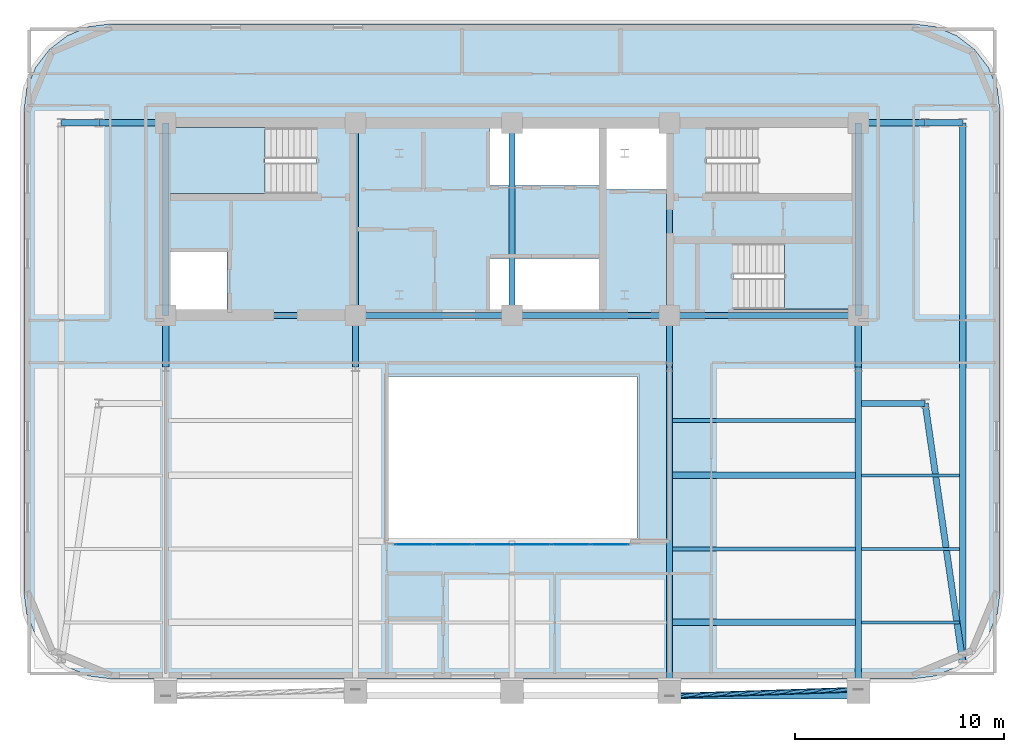
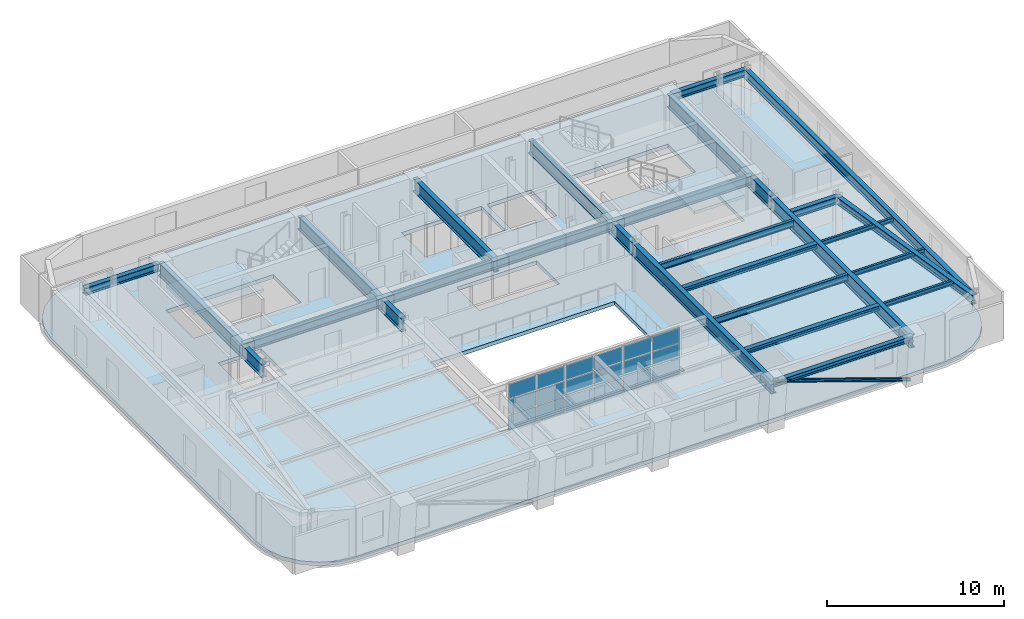
# One storey, part 3 of 13: 30 beams, 18 plates, 3 slabs, 1 member, 3 elements without a shape of their own.
"""IFC4 building model written with IfcOpenShell, lengths in metres."""

import ifcopenshell
import ifcopenshell.guid

model = None  # the IFC model being written
_history = None  # IfcOwnerHistory: only IFC2X3 demands one
_inside = {}  # id of a spatial element -> (the spatial element, [elements in it])
_under = {}  # id of a project, library or spatial element -> (it, [spatial elements below it])
_declared = {}  # id of a project -> (the project, [libraries it declares])
_typed = {}  # id of a type object -> (the type object, [elements of that type])
_made_of = {}  # id of a material, layer set ... -> (it, [elements and type objects made of it])


def new_model(schema):
    """Start an empty IFC model of exactly this schema.

    Asked for "IFC4X3", IfcOpenShell would pick the latest addendum, in which some entities
    have other attributes; the version numbers below select the first issue.
    IFC2X3 requires an IfcOwnerHistory on every rooted entity: one is made here for all.
    """
    global model, _history
    if schema == "IFC4X3":
        model = ifcopenshell.file(schema_version=(4, 3, 0, 0))
    else:
        model = ifcopenshell.file(schema=schema)
    _inside.clear()
    _under.clear()
    _declared.clear()
    _typed.clear()
    _made_of.clear()
    _history = None
    if model.schema == "IFC2X3":
        org = make("IfcOrganization", Name="unknown")
        user = make(
            "IfcPersonAndOrganization",
            ThePerson=make("IfcPerson", FamilyName="unknown"),
            TheOrganization=org,
        )
        app = make(
            "IfcApplication",
            ApplicationDeveloper=org,
            Version="unknown",
            ApplicationFullName="unknown",
            ApplicationIdentifier="unknown",
        )
        _history = make(
            "IfcOwnerHistory",
            OwningUser=user,
            OwningApplication=app,
            ChangeAction="ADDED",
            CreationDate=0,
        )
    return model


def make(cls, **values):
    """One entity of the class cls with the attributes given. An attribute that is None is left unset."""
    return model.create_entity(
        cls, **{name: value for name, value in values.items() if value is not None}
    )


def rooted(cls, **values):
    """An entity with a GlobalId (a new one), such as an element, a storey or a relation."""
    return make(cls, GlobalId=ifcopenshell.guid.new(), OwnerHistory=_history, **values)


def si_unit(unit_type, name, prefix=None):
    """IfcSIUnit, for example si_unit("LENGTHUNIT", "METRE", prefix="MILLI")."""
    return make("IfcSIUnit", UnitType=unit_type, Prefix=prefix, Name=name)


def assignment(units):
    """IfcUnitAssignment: the units of a project."""
    return None if units is None else make("IfcUnitAssignment", Units=units)


def point(xyz):
    """IfcCartesianPoint."""
    return None if xyz is None else make("IfcCartesianPoint", Coordinates=xyz)


def direction(xyz):
    """IfcDirection."""
    return None if xyz is None else make("IfcDirection", DirectionRatios=xyz)


def frame(location, z_axis=None, x_axis=None):
    """IfcAxis2Placement3D, a coordinate frame: its origin and axes. An axis left out is left unset."""
    return make(
        "IfcAxis2Placement3D",
        Location=point(location),
        Axis=direction(z_axis),
        RefDirection=direction(x_axis),
    )


def frame_2d(location, x_axis=None):
    """IfcAxis2Placement2D, a coordinate frame in the plane: its origin and x axis."""
    return make(
        "IfcAxis2Placement2D", Location=point(location), RefDirection=direction(x_axis)
    )


def origin():
    """The frame at (0, 0, 0) with its axes left unset."""
    return frame((0.0, 0.0, 0.0))


def origin_2d():
    """The frame at (0, 0) in the plane with its x axis left unset."""
    return frame_2d((0.0, 0.0))


def place(relative_to, where):
    """IfcLocalPlacement: puts the frame where relative to a parent placement (None: the world)."""
    return make(
        "IfcLocalPlacement", PlacementRelTo=relative_to, RelativePlacement=where
    )


def context(
    kind, dimensions, precision=None, world=None, true_north=None, identifier=None
):
    """IfcGeometricRepresentationContext, for example the 3D "Model" context."""
    return make(
        "IfcGeometricRepresentationContext",
        ContextIdentifier=identifier,
        ContextType=kind,
        CoordinateSpaceDimension=dimensions,
        Precision=precision,
        WorldCoordinateSystem=world,
        TrueNorth=true_north,
    )


def subcontext(parent, identifier, kind, view, scale=None):
    """IfcGeometricRepresentationSubContext, for example "Body" below "Model"."""
    return make(
        "IfcGeometricRepresentationSubContext",
        ContextIdentifier=identifier,
        ContextType=kind,
        ParentContext=parent,
        TargetScale=scale,
        TargetView=view,
    )


def project(units=None, contexts=None):
    """IfcProject with its units and contexts."""
    return rooted(
        "IfcProject",
        Name="project",
        RepresentationContexts=contexts,
        UnitsInContext=assignment(units),
    )


def spatial(cls, under=None, at=None, **own):
    """A site, building, storey or space (cls), placed at a placement, below another one or the project."""
    s = rooted(cls, ObjectPlacement=at, **own)
    if under is not None:
        _under.setdefault(under.id(), (under, []))[1].append(s)
    return s


def polyline(points):
    """IfcPolyline through the points."""
    return make("IfcPolyline", Points=[point(p) for p in points])


def profile(cls, at=None, kind="AREA", **sizes):
    """A parametric profile (cls). Its sizes go by their IFC names, for example OverallWidth=200.0."""
    return make(cls, ProfileType=kind, Position=at, **sizes)


def rectangle(**sizes):
    """IfcRectangleProfileDef."""
    return profile("IfcRectangleProfileDef", **sizes)


def hollow_circle(**sizes):
    """IfcCircleHollowProfileDef."""
    return profile("IfcCircleHollowProfileDef", **sizes)


def i_section(**sizes):
    """IfcIShapeProfileDef."""
    return profile("IfcIShapeProfileDef", **sizes)


def outline(outer, holes=None, kind="AREA"):
    """IfcArbitraryClosedProfileDef: a profile drawn as a closed curve; with holes, ...WithVoids."""
    if holes is None:
        return make("IfcArbitraryClosedProfileDef", ProfileType=kind, OuterCurve=outer)
    return make(
        "IfcArbitraryProfileDefWithVoids",
        ProfileType=kind,
        OuterCurve=outer,
        InnerCurves=holes,
    )


def extrude(swept, where, along, depth):
    """IfcExtrudedAreaSolid: the profile swept, set in the frame where, extruded along a direction by depth."""
    return make(
        "IfcExtrudedAreaSolid",
        SweptArea=swept,
        Position=where,
        ExtrudedDirection=direction(along),
        Depth=depth,
    )


def shape(context_of_items, identifier, shape_type, items):
    """IfcShapeRepresentation: the items that make up one representation, for example the "Body"."""
    return make(
        "IfcShapeRepresentation",
        ContextOfItems=context_of_items,
        RepresentationIdentifier=identifier,
        RepresentationType=shape_type,
        Items=items,
    )


def material(Name=None, Category=None):
    """IfcMaterial."""
    return make("IfcMaterial", Name=Name, Category=Category)


def layer(
    of_material, thickness, ventilated=None, Name=None, Category=None, Priority=None
):
    """IfcMaterialLayer: one layer of a wall or slab, of a material (None: an air gap)."""
    return make(
        "IfcMaterialLayer",
        Material=of_material,
        LayerThickness=thickness,
        IsVentilated=ventilated,
        Name=Name,
        Category=Category,
        Priority=Priority,
    )


def layer_set(layers, Name=None):
    """IfcMaterialLayerSet."""
    return make("IfcMaterialLayerSet", MaterialLayers=layers, LayerSetName=Name)


def material_profile(
    of_material, cross_section, Name=None, Category=None, Priority=None
):
    """IfcMaterialProfile: a cross section and its material."""
    return make(
        "IfcMaterialProfile",
        Name=Name,
        Material=of_material,
        Profile=cross_section,
        Priority=Priority,
        Category=Category,
    )


def profile_set(profiles, Name=None, composite=None):
    """IfcMaterialProfileSet."""
    return make(
        "IfcMaterialProfileSet",
        Name=Name,
        MaterialProfiles=profiles,
        CompositeProfile=composite,
    )


def made_of(thing, what):
    """Note that an element or type object is made of a material, layer set ...; save() writes the relation."""
    if what is not None:
        _made_of.setdefault(what.id(), (what, []))[1].append(thing)
    return thing


def type_object(cls, material=None, **own):
    """A type object (cls), such as IfcWallType, which elements share."""
    return made_of(rooted(cls, **own), material)


def element(
    cls,
    number,
    at=None,
    inside=None,
    cuts=None,
    type_object=None,
    material=None,
    context=None,
    identifier="Body",
    shape_type=None,
    held_by="IfcProductDefinitionShape",
    body=None,
    shapes=None,
    **own,
):
    """One element of the class cls, such as IfcWall. Its Tag is "e" and its number.

    at: its placement. inside: the storey or other place that contains it. cuts: it is an
    opening in that element (IfcRelVoidsElement). A single representation is given by context,
    identifier, shape_type and body (its items); several are given by shapes. held_by: the class
    of the entity that holds the representations. save() writes the other relations.
    """
    e = rooted(cls, Tag="e%d" % number, ObjectPlacement=at, **own)
    if body is not None:
        shapes = [shape(context, identifier, shape_type, body)]
    if shapes is not None:
        e.Representation = make(held_by, Representations=shapes)
    if inside is not None:
        _inside.setdefault(inside.id(), (inside, []))[1].append(e)
    if cuts is not None:
        rooted(
            "IfcRelVoidsElement", RelatingBuildingElement=cuts, RelatedOpeningElement=e
        )
    if type_object is not None:
        _typed.setdefault(type_object.id(), (type_object, []))[1].append(e)
    return made_of(e, material)


def aggregate(whole, parts):
    """IfcRelAggregates: a whole, such as a stair, and the parts it consists of."""
    return rooted("IfcRelAggregates", RelatingObject=whole, RelatedObjects=parts)


def save(model, path):
    """Write the relations noted so far, then the file.

    IfcRelAggregates (storeys below a building ...), IfcRelContainedInSpatialStructure (elements
    in a storey), IfcRelDefinesByType, IfcRelAssociatesMaterial and IfcRelDeclares: one each for
    every whole, place, type object, material and project.
    """
    for whole, parts in _under.values():
        aggregate(whole, parts)
    for where, things in _inside.values():
        rooted(
            "IfcRelContainedInSpatialStructure",
            RelatedElements=things,
            RelatingStructure=where,
        )
    for kind, things in _typed.values():
        rooted("IfcRelDefinesByType", RelatedObjects=things, RelatingType=kind)
    for what, things in _made_of.values():
        rooted("IfcRelAssociatesMaterial", RelatedObjects=things, RelatingMaterial=what)
    for by, libraries in _declared.values():
        rooted("IfcRelDeclares", RelatingContext=by, RelatedDefinitions=libraries)
    model.write(path)


model = new_model("IFC4")

# Units and contexts
model_context = context("Model", 3, precision=1e-05, world=origin(), true_north=direction((0.0, 1.0)))
body_context = subcontext(model_context, "Body", "Model", "MODEL_VIEW")
ifc_project = project(units=[si_unit("LENGTHUNIT", "METRE"), si_unit("AREAUNIT", "SQUARE_METRE"), si_unit("VOLUMEUNIT", "CUBIC_METRE"), si_unit("PLANEANGLEUNIT", "RADIAN"), si_unit("MASSUNIT", "GRAM", prefix="KILO")], contexts=[model_context])

# Site, building, storey
site_placement = place(None, origin())
site = spatial("IfcSite", under=ifc_project, at=site_placement, CompositionType="ELEMENT")
building_placement = place(site_placement, origin())
building = spatial("IfcBuilding", under=site, at=building_placement, Name="Zarnavel Station Tower", CompositionType="ELEMENT")
storey_placement = place(building_placement, frame((0.0, 0.0, 180.300048828125)))
storey = spatial("IfcBuildingStorey", under=building, at=storey_placement, Name="L49", CompositionType="ELEMENT", Elevation=180.300048828125)

# Member
ifc_material_1 = material(Name="Steel S355J2", Category="steel")
ifc_material_profile_1 = material_profile(ifc_material_1, hollow_circle(Radius=0.122314453125, WallThickness=0.010009765625, at=origin_2d()), Name="CHS244.5x10")
ifc_profile_set_1 = profile_set([ifc_material_profile_1], Name="Steel S355J2")
member_type = type_object("IfcMemberType", Name="DB_EXT_CHS245", PredefinedType="BRACE", material=ifc_profile_set_1)
member_placement = place(storey_placement, frame((45.39990234375, 9.88916015625, 0.0), z_axis=(-0.939370056938, -0.030942344867, 0.341506174795), x_axis=(0.032921607344, -0.999457936969, 0.0)))
element("IfcMember", 1, at=member_placement, inside=storey, type_object=member_type, Name="L49 Persian Exterior Diagonal Frame Brace 2", PredefinedType="BRACE", context=body_context, shape_type="SweptSolid", body=[
    extrude(hollow_circle(Radius=0.122314453125, WallThickness=0.010009765625, at=origin_2d()), origin(), (0.0, 0.0, 1.0), 9.6337890625),
])

# Beams
ifc_material_2 = material(Name="Steel S355J2", Category="steel")
ifc_material_profile_2 = material_profile(ifc_material_2, i_section(OverallWidth=0.300048828125, OverallDepth=0.360107421875, WebThickness=0.012451171875, FlangeThickness=0.0224609375, FilletRadius=0.027099609375, at=origin_2d()), Name="HEB360")
ifc_profile_set_2 = profile_set([ifc_material_profile_2], Name="Steel S355J2")
beam_type_1 = type_object("IfcBeamType", Name="EB_HEB360", PredefinedType="SPANDREL", material=ifc_profile_set_2)
beam_1_placement = place(storey_placement, frame((36.35009765625, 9.591064453125, 3.10986328125), z_axis=(1.0, 0.0, 0.0), x_axis=(0.0, 1.0, 0.0)))
element("IfcBeam", 2, at=beam_1_placement, inside=storey, type_object=beam_type_1, Name="L49 South Raked Spandrel 4", PredefinedType="SPANDREL", context=body_context, shape_type="SweptSolid", body=[
    extrude(i_section(OverallWidth=0.300048828125, OverallDepth=0.360107421875, WebThickness=0.012451171875, FlangeThickness=0.0224609375, FilletRadius=0.027099609375, at=origin_2d()), origin(), (0.0, 0.0, 1.0), 9.0498046875),
])
ifc_material_3 = material(Name="Steel S355J2", Category="steel")
ifc_material_profile_3 = material_profile(ifc_material_3, i_section(OverallWidth=0.300048828125, OverallDepth=0.31005859375, WebThickness=0.009033203125, FlangeThickness=0.015380859375, FilletRadius=0.027099609375, at=origin_2d()), Name="HEA320")
ifc_profile_set_3 = profile_set([ifc_material_profile_3], Name="Steel S355J2")
beam_type_2 = type_object("IfcBeamType", Name="FB_HEA320", PredefinedType="BEAM", material=ifc_profile_set_3)
for number, where, z_axis, x_axis, name in (
    (3, (36.4951171875, 13.11279296875, 3.135009765625), (1.0, 0.0, 0.0), (0.0, 1.0, 0.0), "L49 East Bay Beam 1"),
    (4, (36.4951171875, 20.156494140625, 3.135009765625), (1.0, 0.0, 0.0), (0.0, 1.0, 0.0), "L49 East Bay Beam 3"),
):
    element("IfcBeam", number, at=place(storey_placement, frame(where, z_axis=z_axis, x_axis=x_axis)), inside=storey, type_object=beam_type_2, Name=name, PredefinedType="BEAM", context=body_context, shape_type="SweptSolid", body=[
        extrude(i_section(OverallWidth=0.300048828125, OverallDepth=0.31005859375, WebThickness=0.009033203125, FlangeThickness=0.015380859375, FilletRadius=0.027099609375, at=origin_2d()), origin(), (0.0, 0.0, 1.0), 8.759765625),
    ])
ifc_material_4 = material(Name="Steel S355J2", Category="steel")
ifc_material_profile_4 = material_profile(ifc_material_4, i_section(OverallWidth=0.18994140625, OverallDepth=0.449951171875, WebThickness=0.009521484375, FlangeThickness=0.0146484375, FilletRadius=0.02099609375, at=origin_2d()), Name="IPE450")
ifc_profile_set_4 = profile_set([ifc_material_profile_4], Name="Steel S355J2")
beam_type_3 = type_object("IfcBeamType", Name="FB_IPE450", PredefinedType="BEAM", material=ifc_profile_set_4)
for number, where, z_axis, x_axis, name in (
    (5, (36.4951171875, 16.634521484375, 3.06494140625), (1.0, 0.0, 0.0), (0.0, 1.0, 0.0), "L49 East Bay Beam 2"),
    (6, (36.4951171875, 22.7783203125, 3.06494140625), (1.0, 0.0, 0.0), (0.0, 1.0, 0.0), "L49 East Bay Beam 4"),
):
    element("IfcBeam", number, at=place(storey_placement, frame(where, z_axis=z_axis, x_axis=x_axis)), inside=storey, type_object=beam_type_3, Name=name, PredefinedType="BEAM", context=body_context, shape_type="SweptSolid", body=[
        extrude(i_section(OverallWidth=0.18994140625, OverallDepth=0.449951171875, WebThickness=0.009521484375, FlangeThickness=0.0146484375, FilletRadius=0.02099609375, at=origin_2d()), origin(), (0.0, 0.0, 1.0), 8.759765625),
    ])
ifc_material_5 = material(Name="Steel S355J2", Category="steel")
ifc_material_profile_5 = material_profile(ifc_material_5, i_section(OverallWidth=0.300048828125, OverallDepth=0.5, WebThickness=0.014404296875, FlangeThickness=0.028076171875, FilletRadius=0.027099609375, at=origin_2d()), Name="HEB500")
ifc_profile_set_5 = profile_set([ifc_material_profile_5], Name="Steel S355J2")
beam_type_4 = type_object("IfcBeamType", Name="FG_HEB500", PredefinedType="USERDEFINED", material=ifc_profile_set_5)
beam_2_placement = place(storey_placement, frame((7.199951171875, 37.050048828125, 3.0400390625), z_axis=(1.0, 0.0, 0.0), x_axis=(0.0, 1.0, 0.0)))
element("IfcBeam", 7, at=beam_2_placement, inside=storey, type_object=beam_type_4, Name="L49 West Wing North Tie 1", ObjectType="GIRDER", PredefinedType="USERDEFINED", context=body_context, shape_type="SweptSolid", body=[
    extrude(i_section(OverallWidth=0.300048828125, OverallDepth=0.5, WebThickness=0.014404296875, FlangeThickness=0.028076171875, FilletRadius=0.027099609375, at=origin_2d()), origin(), (0.0, 0.0, 1.0), 1.800048828125),
])
beam_3_placement = place(storey_placement, frame((9.0, 37.050048828125, 3.0400390625), z_axis=(1.0, 0.0, 0.0), x_axis=(0.0, 1.0, 0.0)))
element("IfcBeam", 8, at=beam_3_placement, inside=storey, type_object=beam_type_4, Name="L49 West Wing North Tie 2", ObjectType="GIRDER", PredefinedType="USERDEFINED", context=body_context, shape_type="SweptSolid", body=[
    extrude(i_section(OverallWidth=0.300048828125, OverallDepth=0.5, WebThickness=0.014404296875, FlangeThickness=0.028076171875, FilletRadius=0.027099609375, at=origin_2d()), origin(), (0.0, 0.0, 1.0), 3.054931640625),
])
for number, where, z_axis, x_axis, name in (
    (9, (45.544921875, 23.60009765625, 3.0400390625), (1.0, 0.0, 0.0), (0.0, 1.0, 0.0), "L49 East Wing South Tie 1"),
    (10, (45.544921875, 37.050048828125, 3.0400390625), (1.0, 0.0, 0.0), (0.0, 1.0, 0.0), "L49 East Wing North Tie 1"),
):
    element("IfcBeam", number, at=place(storey_placement, frame(where, z_axis=z_axis, x_axis=x_axis)), inside=storey, type_object=beam_type_4, Name=name, ObjectType="GIRDER", PredefinedType="USERDEFINED", context=body_context, shape_type="SweptSolid", body=[
        extrude(i_section(OverallWidth=0.300048828125, OverallDepth=0.5, WebThickness=0.014404296875, FlangeThickness=0.028076171875, FilletRadius=0.027099609375, at=origin_2d()), origin(), (0.0, 0.0, 1.0), 3.05517578125),
    ])
beam_4_placement = place(storey_placement, frame((48.60009765625, 23.60009765625, 3.0400390625), z_axis=(0.143749583441, -0.98961409512, 0.0), x_axis=(0.98961409512, 0.143749583441, 0.0)))
element("IfcBeam", 11, at=beam_4_placement, inside=storey, type_object=beam_type_4, Name="L49 East Wing South Tie 2", ObjectType="GIRDER", PredefinedType="USERDEFINED", context=body_context, shape_type="SweptSolid", body=[
    extrude(i_section(OverallWidth=0.300048828125, OverallDepth=0.5, WebThickness=0.014404296875, FlangeThickness=0.028076171875, FilletRadius=0.027099609375, at=origin_2d()), origin(), (0.0, 0.0, 1.0), 12.5205078125),
])
beam_5_placement = place(storey_placement, frame((48.60009765625, 37.050048828125, 3.0400390625), z_axis=(1.0, 0.0, 0.0), x_axis=(0.0, 1.0, 0.0)))
element("IfcBeam", 12, at=beam_5_placement, inside=storey, type_object=beam_type_4, Name="L49 East Wing North Tie 2", ObjectType="GIRDER", PredefinedType="USERDEFINED", context=body_context, shape_type="SweptSolid", body=[
    extrude(i_section(OverallWidth=0.300048828125, OverallDepth=0.5, WebThickness=0.014404296875, FlangeThickness=0.028076171875, FilletRadius=0.027099609375, at=origin_2d()), origin(), (0.0, 0.0, 1.0), 1.7998046875),
])
ifc_material_6 = material(Name="Steel S355J2", Category="steel")
ifc_material_profile_6 = material_profile(ifc_material_6, i_section(OverallWidth=0.300048828125, OverallDepth=0.60009765625, WebThickness=0.015380859375, FlangeThickness=0.030029296875, FilletRadius=0.027099609375, at=origin_2d()), Name="HEB600")
ifc_profile_set_6 = profile_set([ifc_material_profile_6], Name="Steel S355J2")
beam_type_5 = type_object("IfcBeamType", Name="FG_HEB600", PredefinedType="USERDEFINED", material=ifc_profile_set_6)
beam_6_placement = place(storey_placement, frame((12.199951171875, 27.820068359375, 2.989990234375), z_axis=(1.0, 0.0, 0.0), x_axis=(0.0, 1.0, 0.0)))
element("IfcBeam", 13, at=beam_6_placement, inside=storey, type_object=beam_type_5, Name="L49 Core Front Coupling Beam 1", ObjectType="GIRDER", PredefinedType="USERDEFINED", context=body_context, shape_type="SweptSolid", body=[
    extrude(i_section(OverallWidth=0.300048828125, OverallDepth=0.60009765625, WebThickness=0.015380859375, FlangeThickness=0.030029296875, FilletRadius=0.027099609375, at=origin_2d()), origin(), (0.0, 0.0, 1.0), 9.10009765625),
])
beam_7_placement = place(storey_placement, frame((21.300048828125, 27.820068359375, 2.989990234375), z_axis=(1.0, 0.0, 0.0), x_axis=(0.0, 1.0, 0.0)))
element("IfcBeam", 14, at=beam_7_placement, inside=storey, type_object=beam_type_5, Name="L49 Core Front Coupling Beam 2", ObjectType="GIRDER", PredefinedType="USERDEFINED", context=body_context, shape_type="SweptSolid", body=[
    extrude(i_section(OverallWidth=0.300048828125, OverallDepth=0.60009765625, WebThickness=0.015380859375, FlangeThickness=0.030029296875, FilletRadius=0.027099609375, at=origin_2d()), origin(), (0.0, 0.0, 1.0), 7.5),
])
beam_8_placement = place(storey_placement, frame((28.800048828125, 27.820068359375, 2.989990234375), z_axis=(1.0, 0.0, 0.0), x_axis=(0.0, 1.0, 0.0)))
element("IfcBeam", 15, at=beam_8_placement, inside=storey, type_object=beam_type_5, Name="L49 Core Front Coupling Beam 3", ObjectType="GIRDER", PredefinedType="USERDEFINED", context=body_context, shape_type="SweptSolid", body=[
    extrude(i_section(OverallWidth=0.300048828125, OverallDepth=0.60009765625, WebThickness=0.015380859375, FlangeThickness=0.030029296875, FilletRadius=0.027099609375, at=origin_2d()), origin(), (0.0, 0.0, 1.0), 7.550048828125),
])
beam_9_placement = place(storey_placement, frame((36.35009765625, 27.820068359375, 2.989990234375), z_axis=(1.0, 0.0, 0.0), x_axis=(0.0, 1.0, 0.0)))
element("IfcBeam", 16, at=beam_9_placement, inside=storey, type_object=beam_type_5, Name="L49 Core Front Coupling Beam 4", ObjectType="GIRDER", PredefinedType="USERDEFINED", context=body_context, shape_type="SweptSolid", body=[
    extrude(i_section(OverallWidth=0.300048828125, OverallDepth=0.60009765625, WebThickness=0.015380859375, FlangeThickness=0.030029296875, FilletRadius=0.027099609375, at=origin_2d()), origin(), (0.0, 0.0, 1.0), 9.0498046875),
])
ifc_material_7 = material(Name="Steel S355J2", Category="steel")
ifc_material_profile_7 = material_profile(ifc_material_7, i_section(OverallWidth=0.300048828125, OverallDepth=0.64990234375, WebThickness=0.01611328125, FlangeThickness=0.031005859375, FilletRadius=0.027099609375, at=origin_2d()), Name="HEB650")
ifc_profile_set_7 = profile_set([ifc_material_profile_7], Name="Steel S355J2")
beam_type_6 = type_object("IfcBeamType", Name="FG_HEB650", PredefinedType="USERDEFINED", material=ifc_profile_set_7)
beam_10_placement = place(storey_placement, frame((50.39990234375, 11.209716796875, 2.96484375), z_axis=(0.0, 1.0, 0.0), x_axis=(-1.0, 0.0, 0.0)))
element("IfcBeam", 17, at=beam_10_placement, inside=storey, type_object=beam_type_6, Name="L49 Wing NS Girder 2", ObjectType="GIRDER", PredefinedType="USERDEFINED", context=body_context, shape_type="SweptSolid", body=[
    extrude(i_section(OverallWidth=0.300048828125, OverallDepth=0.64990234375, WebThickness=0.01611328125, FlangeThickness=0.031005859375, FilletRadius=0.027099609375, at=origin_2d()), origin(), (0.0, 0.0, 1.0), 25.84033203125),
])
ifc_material_8 = material(Name="Steel S355J2", Category="steel")
ifc_material_profile_8 = material_profile(ifc_material_8, i_section(OverallWidth=0.300048828125, OverallDepth=0.89990234375, WebThickness=0.0185546875, FlangeThickness=0.034912109375, FilletRadius=0.030029296875, at=origin_2d()), Name="HEB900")
ifc_profile_set_8 = profile_set([ifc_material_profile_8], Name="Steel S355J2")
beam_type_7 = type_object("IfcBeamType", Name="FG_HEB900", PredefinedType="USERDEFINED", material=ifc_profile_set_8)
for number, where, z_axis, x_axis, name in (
    (18, (12.199951171875, 25.35009765625, 2.83984375), (0.0, 1.0, 0.0), (-1.0, 0.0, 0.0), "L49 Inner-Zone NS Girder 1"),
    (19, (21.300048828125, 25.35009765625, 2.83984375), (0.0, 1.0, 0.0), (-1.0, 0.0, 0.0), "L49 Inner-Zone NS Girder 2"),
):
    element("IfcBeam", number, at=place(storey_placement, frame(where, z_axis=z_axis, x_axis=x_axis)), inside=storey, type_object=beam_type_7, Name=name, ObjectType="GIRDER", PredefinedType="USERDEFINED", context=body_context, shape_type="SweptSolid", body=[
        extrude(i_section(OverallWidth=0.300048828125, OverallDepth=0.89990234375, WebThickness=0.0185546875, FlangeThickness=0.034912109375, FilletRadius=0.030029296875, at=origin_2d()), origin(), (0.0, 0.0, 1.0), 2.469970703125),
    ])
beam_11_placement = place(storey_placement, frame((36.35009765625, 9.591064453125, 2.83984375), z_axis=(0.0, 1.0, 0.0), x_axis=(-1.0, 0.0, 0.0)))
element("IfcBeam", 20, at=beam_11_placement, inside=storey, type_object=beam_type_7, Name="L49 South-Zone NS Girder 4", ObjectType="GIRDER", PredefinedType="USERDEFINED", context=body_context, shape_type="SweptSolid", body=[
    extrude(i_section(OverallWidth=0.300048828125, OverallDepth=0.89990234375, WebThickness=0.0185546875, FlangeThickness=0.034912109375, FilletRadius=0.030029296875, at=origin_2d()), origin(), (0.0, 0.0, 1.0), 15.759033203125),
])
beam_12_placement = place(storey_placement, frame((36.35009765625, 25.35009765625, 2.83984375), z_axis=(0.0, 1.0, 0.0), x_axis=(-1.0, 0.0, 0.0)))
element("IfcBeam", 21, at=beam_12_placement, inside=storey, type_object=beam_type_7, Name="L49 Inner-Zone NS Girder 4", ObjectType="GIRDER", PredefinedType="USERDEFINED", context=body_context, shape_type="SweptSolid", body=[
    extrude(i_section(OverallWidth=0.300048828125, OverallDepth=0.89990234375, WebThickness=0.0185546875, FlangeThickness=0.034912109375, FilletRadius=0.030029296875, at=origin_2d()), origin(), (0.0, 0.0, 1.0), 2.469970703125),
])
beam_13_placement = place(storey_placement, frame((45.39990234375, 9.591064453125, 2.83984375), z_axis=(0.0, 1.0, 0.0), x_axis=(-1.0, 0.0, 0.0)))
element("IfcBeam", 22, at=beam_13_placement, inside=storey, type_object=beam_type_7, Name="L49 South-Zone NS Girder 5", ObjectType="GIRDER", PredefinedType="USERDEFINED", context=body_context, shape_type="SweptSolid", body=[
    extrude(i_section(OverallWidth=0.300048828125, OverallDepth=0.89990234375, WebThickness=0.0185546875, FlangeThickness=0.034912109375, FilletRadius=0.030029296875, at=origin_2d()), origin(), (0.0, 0.0, 1.0), 15.759033203125),
])
beam_14_placement = place(storey_placement, frame((45.39990234375, 25.35009765625, 2.83984375), z_axis=(0.0, 1.0, 0.0), x_axis=(-1.0, 0.0, 0.0)))
element("IfcBeam", 23, at=beam_14_placement, inside=storey, type_object=beam_type_7, Name="L49 Inner-Zone NS Girder 5", ObjectType="GIRDER", PredefinedType="USERDEFINED", context=body_context, shape_type="SweptSolid", body=[
    extrude(i_section(OverallWidth=0.300048828125, OverallDepth=0.89990234375, WebThickness=0.0185546875, FlangeThickness=0.034912109375, FilletRadius=0.030029296875, at=origin_2d()), origin(), (0.0, 0.0, 1.0), 2.469970703125),
])
ifc_material_9 = material(Name="Steel S355J2", Category="steel")
ifc_material_profile_9 = material_profile(ifc_material_9, i_section(OverallWidth=0.14990234375, OverallDepth=0.300048828125, WebThickness=0.007080078125, FlangeThickness=0.0107421875, FilletRadius=0.014892578125, at=origin_2d()), Name="IPE300")
ifc_profile_set_9 = profile_set([ifc_material_profile_9], Name="Steel S355J2")
beam_type_8 = type_object("IfcBeamType", Name="FJ_IPE300", PredefinedType="JOIST", material=ifc_profile_set_9)
for number, where, z_axis, x_axis, name in (
    (24, (45.544921875, 13.11279296875, 3.139892578125), (1.0, 0.0, 0.0), (0.0, 1.0, 0.0), "L49 East Wing Joist 1"),
    (25, (45.544921875, 16.634521484375, 3.139892578125), (1.0, 0.0, 0.0), (0.0, 1.0, 0.0), "L49 East Wing Joist 2"),
    (26, (45.544921875, 20.156494140625, 3.139892578125), (1.0, 0.0, 0.0), (0.0, 1.0, 0.0), "L49 East Wing Joist 3"),
):
    element("IfcBeam", number, at=place(storey_placement, frame(where, z_axis=z_axis, x_axis=x_axis)), inside=storey, type_object=beam_type_8, Name=name, PredefinedType="JOIST", context=body_context, shape_type="SweptSolid", body=[
        extrude(i_section(OverallWidth=0.14990234375, OverallDepth=0.300048828125, WebThickness=0.007080078125, FlangeThickness=0.0107421875, FilletRadius=0.014892578125, at=origin_2d()), origin(), (0.0, 0.0, 1.0), 4.7099609375),
    ])
ifc_material_10 = material(Name="Steel S460M", Category="steel")
ifc_material_profile_10 = material_profile(ifc_material_10, i_section(OverallWidth=0.302001953125, OverallDepth=0.909912109375, WebThickness=0.02099609375, FlangeThickness=0.0400390625, FilletRadius=0.030029296875, at=origin_2d()), Name="HEM900")
ifc_profile_set_10 = profile_set([ifc_material_profile_10], Name="Steel S460M")
beam_type_9 = type_object("IfcBeamType", Name="TG_HEM900", PredefinedType="USERDEFINED", material=ifc_profile_set_10)
for number, where, z_axis, x_axis, name in (
    (27, (12.199951171875, 27.820068359375, 2.8349609375), (0.0, 1.0, 0.0), (-1.0, 0.0, 0.0), "L49 Core Spine Coupling Girder 1"),
    (28, (21.300048828125, 27.820068359375, 2.8349609375), (0.0, 1.0, 0.0), (-1.0, 0.0, 0.0), "L49 Core Spine Coupling Girder 2"),
    (29, (28.800048828125, 27.820068359375, 2.8349609375), (0.0, 1.0, 0.0), (-1.0, 0.0, 0.0), "L49 Core Spine Coupling Girder 3"),
    (30, (36.35009765625, 27.820068359375, 2.8349609375), (0.0, 1.0, 0.0), (-1.0, 0.0, 0.0), "L49 Core Spine Coupling Girder 4"),
    (31, (45.39990234375, 27.820068359375, 2.8349609375), (0.0, 1.0, 0.0), (-1.0, 0.0, 0.0), "L49 Core Spine Coupling Girder 5"),
):
    element("IfcBeam", number, at=place(storey_placement, frame(where, z_axis=z_axis, x_axis=x_axis)), inside=storey, type_object=beam_type_9, Name=name, ObjectType="GIRDER", PredefinedType="USERDEFINED", context=body_context, shape_type="SweptSolid", body=[
        extrude(i_section(OverallWidth=0.302001953125, OverallDepth=0.909912109375, WebThickness=0.02099609375, FlangeThickness=0.0400390625, FilletRadius=0.030029296875, at=origin_2d()), origin(), (0.0, 0.0, 1.0), 9.22998046875),
    ])

# Curtain wall, plates
ifc_material_11 = material(Name="Aluminium Dark Anodised and Solar-Control Glass", Category="aluminium")
ifc_layer_1 = layer(ifc_material_11, 0.179931640625)
ifc_layer_set_1 = layer_set([ifc_layer_1], Name="CWS4")
curtain_wall_type = type_object("IfcCurtainWallType", Name="CWS4", PredefinedType="NOTDEFINED", material=ifc_layer_set_1)
curtain_wall_placement = place(storey_placement, origin())
curtain_wall = element("IfcCurtainWall", 32, at=curtain_wall_placement, inside=storey, type_object=curtain_wall_type, Name="L49 Curtain Wall CWS4-L49-AS", PredefinedType="NOTDEFINED")
ifc_material_12 = material(Name="Double Low-E Dark Solar-Control Glass", Category="glass")
ifc_layer_2 = layer(ifc_material_12, 0.031982421875)
ifc_layer_set_2 = layer_set([ifc_layer_2], Name="CWS4_PNL")
plate_type = type_object("IfcPlateType", Name="CWS4_PNL", PredefinedType="CURTAIN_PANEL", material=ifc_layer_set_2)
plate_1_placement = place(storey_placement, frame((24.106689453125, 16.85009765625, 0.06005859375), z_axis=(0.0, 0.0, 1.0), x_axis=(1.0, 0.0, 0.0)))
plate_1 = element("IfcPlate", 33, at=plate_1_placement, type_object=plate_type, Name="CW4 panel 1.1", PredefinedType="CURTAIN_PANEL", context=body_context, shape_type="SweptSolid", body=[
    extrude(rectangle(XDim=1.793212890625, YDim=0.028076171875, at=origin_2d()), origin(), (0.0, 0.0, 1.0), 1.006591796875),
])
plate_2_placement = place(storey_placement, frame((24.106689453125, 16.85009765625, 1.126708984375), z_axis=(0.0, 0.0, 1.0), x_axis=(1.0, 0.0, 0.0)))
plate_2 = element("IfcPlate", 34, at=plate_2_placement, type_object=plate_type, Name="CW4 panel 1.2", PredefinedType="CURTAIN_PANEL", context=body_context, shape_type="SweptSolid", body=[
    extrude(rectangle(XDim=1.793212890625, YDim=0.028076171875, at=origin_2d()), origin(), (0.0, 0.0, 1.0), 1.03662109375),
])
plate_3_placement = place(storey_placement, frame((24.106689453125, 16.85009765625, 2.22314453125), z_axis=(0.0, 0.0, 1.0), x_axis=(1.0, 0.0, 0.0)))
plate_3 = element("IfcPlate", 35, at=plate_3_placement, type_object=plate_type, Name="CW4 panel 1.3", PredefinedType="CURTAIN_PANEL", context=body_context, shape_type="SweptSolid", body=[
    extrude(rectangle(XDim=1.793212890625, YDim=0.028076171875, at=origin_2d()), origin(), (0.0, 0.0, 1.0), 1.006591796875),
])
plate_4_placement = place(storey_placement, frame((25.97509765625, 16.85009765625, 0.06005859375), z_axis=(0.0, 0.0, 1.0), x_axis=(1.0, 0.0, 0.0)))
plate_4 = element("IfcPlate", 36, at=plate_4_placement, type_object=plate_type, Name="CW4 panel 2.1", PredefinedType="CURTAIN_PANEL", context=body_context, shape_type="SweptSolid", body=[
    extrude(rectangle(XDim=1.8232421875, YDim=0.028076171875, at=origin_2d()), origin(), (0.0, 0.0, 1.0), 1.006591796875),
])
plate_5_placement = place(storey_placement, frame((25.97509765625, 16.85009765625, 1.126708984375), z_axis=(0.0, 0.0, 1.0), x_axis=(1.0, 0.0, 0.0)))
plate_5 = element("IfcPlate", 37, at=plate_5_placement, type_object=plate_type, Name="CW4 panel 2.2", PredefinedType="CURTAIN_PANEL", context=body_context, shape_type="SweptSolid", body=[
    extrude(rectangle(XDim=1.8232421875, YDim=0.028076171875, at=origin_2d()), origin(), (0.0, 0.0, 1.0), 1.03662109375),
])
plate_6_placement = place(storey_placement, frame((25.97509765625, 16.85009765625, 2.22314453125), z_axis=(0.0, 0.0, 1.0), x_axis=(1.0, 0.0, 0.0)))
plate_6 = element("IfcPlate", 38, at=plate_6_placement, type_object=plate_type, Name="CW4 panel 2.3", PredefinedType="CURTAIN_PANEL", context=body_context, shape_type="SweptSolid", body=[
    extrude(rectangle(XDim=1.8232421875, YDim=0.028076171875, at=origin_2d()), origin(), (0.0, 0.0, 1.0), 1.006591796875),
])
plate_7_placement = place(storey_placement, frame((27.8583984375, 16.85009765625, 0.06005859375), z_axis=(0.0, 0.0, 1.0), x_axis=(1.0, 0.0, 0.0)))
plate_7 = element("IfcPlate", 39, at=plate_7_placement, type_object=plate_type, Name="CW4 panel 3.1", PredefinedType="CURTAIN_PANEL", context=body_context, shape_type="SweptSolid", body=[
    extrude(rectangle(XDim=1.8232421875, YDim=0.028076171875, at=origin_2d()), origin(), (0.0, 0.0, 1.0), 1.006591796875),
])
plate_8_placement = place(storey_placement, frame((27.8583984375, 16.85009765625, 1.126708984375), z_axis=(0.0, 0.0, 1.0), x_axis=(1.0, 0.0, 0.0)))
plate_8 = element("IfcPlate", 40, at=plate_8_placement, type_object=plate_type, Name="CW4 panel 3.2", PredefinedType="CURTAIN_PANEL", context=body_context, shape_type="SweptSolid", body=[
    extrude(rectangle(XDim=1.8232421875, YDim=0.028076171875, at=origin_2d()), origin(), (0.0, 0.0, 1.0), 1.03662109375),
])
plate_9_placement = place(storey_placement, frame((27.8583984375, 16.85009765625, 2.22314453125), z_axis=(0.0, 0.0, 1.0), x_axis=(1.0, 0.0, 0.0)))
plate_9 = element("IfcPlate", 41, at=plate_9_placement, type_object=plate_type, Name="CW4 panel 3.3", PredefinedType="CURTAIN_PANEL", context=body_context, shape_type="SweptSolid", body=[
    extrude(rectangle(XDim=1.8232421875, YDim=0.028076171875, at=origin_2d()), origin(), (0.0, 0.0, 1.0), 1.006591796875),
])
plate_10_placement = place(storey_placement, frame((29.74169921875, 16.85009765625, 0.06005859375), z_axis=(0.0, 0.0, 1.0), x_axis=(1.0, 0.0, 0.0)))
plate_10 = element("IfcPlate", 42, at=plate_10_placement, type_object=plate_type, Name="CW4 panel 4.1", PredefinedType="CURTAIN_PANEL", context=body_context, shape_type="SweptSolid", body=[
    extrude(rectangle(XDim=1.8232421875, YDim=0.028076171875, at=origin_2d()), origin(), (0.0, 0.0, 1.0), 1.006591796875),
])
plate_11_placement = place(storey_placement, frame((29.74169921875, 16.85009765625, 1.126708984375), z_axis=(0.0, 0.0, 1.0), x_axis=(1.0, 0.0, 0.0)))
plate_11 = element("IfcPlate", 43, at=plate_11_placement, type_object=plate_type, Name="CW4 panel 4.2", PredefinedType="CURTAIN_PANEL", context=body_context, shape_type="SweptSolid", body=[
    extrude(rectangle(XDim=1.8232421875, YDim=0.028076171875, at=origin_2d()), origin(), (0.0, 0.0, 1.0), 1.03662109375),
])
plate_12_placement = place(storey_placement, frame((29.74169921875, 16.85009765625, 2.22314453125), z_axis=(0.0, 0.0, 1.0), x_axis=(1.0, 0.0, 0.0)))
plate_12 = element("IfcPlate", 44, at=plate_12_placement, type_object=plate_type, Name="CW4 panel 4.3", PredefinedType="CURTAIN_PANEL", context=body_context, shape_type="SweptSolid", body=[
    extrude(rectangle(XDim=1.8232421875, YDim=0.028076171875, at=origin_2d()), origin(), (0.0, 0.0, 1.0), 1.006591796875),
])
plate_13_placement = place(storey_placement, frame((31.625, 16.85009765625, 0.06005859375), z_axis=(0.0, 0.0, 1.0), x_axis=(1.0, 0.0, 0.0)))
plate_13 = element("IfcPlate", 45, at=plate_13_placement, type_object=plate_type, Name="CW4 panel 5.1", PredefinedType="CURTAIN_PANEL", context=body_context, shape_type="SweptSolid", body=[
    extrude(rectangle(XDim=1.8232421875, YDim=0.028076171875, at=origin_2d()), origin(), (0.0, 0.0, 1.0), 1.006591796875),
])
plate_14_placement = place(storey_placement, frame((31.625, 16.85009765625, 1.126708984375), z_axis=(0.0, 0.0, 1.0), x_axis=(1.0, 0.0, 0.0)))
plate_14 = element("IfcPlate", 46, at=plate_14_placement, type_object=plate_type, Name="CW4 panel 5.2", PredefinedType="CURTAIN_PANEL", context=body_context, shape_type="SweptSolid", body=[
    extrude(rectangle(XDim=1.8232421875, YDim=0.028076171875, at=origin_2d()), origin(), (0.0, 0.0, 1.0), 1.03662109375),
])
plate_15_placement = place(storey_placement, frame((31.625, 16.85009765625, 2.22314453125), z_axis=(0.0, 0.0, 1.0), x_axis=(1.0, 0.0, 0.0)))
plate_15 = element("IfcPlate", 47, at=plate_15_placement, type_object=plate_type, Name="CW4 panel 5.3", PredefinedType="CURTAIN_PANEL", context=body_context, shape_type="SweptSolid", body=[
    extrude(rectangle(XDim=1.8232421875, YDim=0.028076171875, at=origin_2d()), origin(), (0.0, 0.0, 1.0), 1.006591796875),
])
plate_16_placement = place(storey_placement, frame((33.493408203125, 16.85009765625, 0.06005859375), z_axis=(0.0, 0.0, 1.0), x_axis=(1.0, 0.0, 0.0)))
plate_16 = element("IfcPlate", 48, at=plate_16_placement, type_object=plate_type, Name="CW4 panel 6.1", PredefinedType="CURTAIN_PANEL", context=body_context, shape_type="SweptSolid", body=[
    extrude(rectangle(XDim=1.793212890625, YDim=0.028076171875, at=origin_2d()), origin(), (0.0, 0.0, 1.0), 1.006591796875),
])
plate_17_placement = place(storey_placement, frame((33.493408203125, 16.85009765625, 1.126708984375), z_axis=(0.0, 0.0, 1.0), x_axis=(1.0, 0.0, 0.0)))
plate_17 = element("IfcPlate", 49, at=plate_17_placement, type_object=plate_type, Name="CW4 panel 6.2", PredefinedType="CURTAIN_PANEL", context=body_context, shape_type="SweptSolid", body=[
    extrude(rectangle(XDim=1.793212890625, YDim=0.028076171875, at=origin_2d()), origin(), (0.0, 0.0, 1.0), 1.03662109375),
])
plate_18_placement = place(storey_placement, frame((33.493408203125, 16.85009765625, 2.22314453125), z_axis=(0.0, 0.0, 1.0), x_axis=(1.0, 0.0, 0.0)))
plate_18 = element("IfcPlate", 50, at=plate_18_placement, type_object=plate_type, Name="CW4 panel 6.3", PredefinedType="CURTAIN_PANEL", context=body_context, shape_type="SweptSolid", body=[
    extrude(rectangle(XDim=1.793212890625, YDim=0.028076171875, at=origin_2d()), origin(), (0.0, 0.0, 1.0), 1.006591796875),
])
aggregate(curtain_wall, [plate_1, plate_2, plate_3, plate_4, plate_5, plate_6, plate_7, plate_8, plate_9, plate_10, plate_11, plate_12, plate_13, plate_14, plate_15, plate_16, plate_17, plate_18])

# Slab
ifc_material_13 = material(Name="Concrete C45/55", Category="concrete")
ifc_layer_3 = layer(ifc_material_13, 0.260009765625)
ifc_layer_set_3 = layer_set([ifc_layer_3], Name="SL_FLR_260")
slab_type_1 = type_object("IfcSlabType", Name="SL_FLR_260", PredefinedType="FLOOR", material=ifc_layer_set_3)
slab_1_placement = place(storey_placement, frame((0.0, 0.0, -0.260009765625)))
element("IfcSlab", 51, at=slab_1_placement, inside=storey, type_object=slab_type_1, Name="L49 Structural Floor Slab", PredefinedType="FLOOR", context=body_context, shape_type="SweptSolid", body=[
    extrude(outline(polyline([(48.0, 10.39990234375), (49.0869140625, 10.543212890625), (50.10009765625, 10.962646484375), (50.9697265625, 11.630126953125), (51.63720703125, 12.5), (52.056884765625, 13.512939453125), (52.199951171875, 14.60009765625), (52.199951171875, 37.60009765625), (52.056884765625, 38.68701171875), (51.63720703125, 39.699951171875), (50.9697265625, 40.56982421875), (50.10009765625, 41.2373046875), (49.0869140625, 41.656982421875), (48.0, 41.800048828125), (9.60009765625, 41.800048828125), (8.512939453125, 41.656982421875), (7.5, 41.2373046875), (6.630126953125, 40.56982421875), (5.962646484375, 39.699951171875), (5.543212890625, 38.68701171875), (5.39990234375, 37.60009765625), (5.39990234375, 14.60009765625), (5.543212890625, 13.512939453125), (5.962646484375, 12.5), (6.630126953125, 11.630126953125), (7.5, 10.962646484375), (8.512939453125, 10.543212890625), (9.60009765625, 10.39990234375), (48.0, 10.39990234375)]), holes=[polyline([(12.39990234375, 33.659912109375), (19.409912109375, 33.659912109375), (19.409912109375, 36.820068359375), (12.39990234375, 36.820068359375), (12.39990234375, 33.659912109375)]), polyline([(38.14990234375, 33.659912109375), (45.159912109375, 33.659912109375), (45.159912109375, 36.820068359375), (38.14990234375, 36.820068359375), (38.14990234375, 33.659912109375)]), polyline([(39.419921875, 28.1201171875), (45.14990234375, 28.1201171875), (45.14990234375, 31.280029296875), (39.419921875, 31.280029296875), (39.419921875, 28.1201171875)]), polyline([(12.35009765625, 27.949951171875), (15.14990234375, 27.949951171875), (15.14990234375, 30.85009765625), (12.35009765625, 30.85009765625), (12.35009765625, 27.949951171875)]), polyline([(33.320068359375, 33.85009765625), (36.2099609375, 33.85009765625), (36.2099609375, 36.780029296875), (33.320068359375, 36.780029296875), (33.320068359375, 33.85009765625)]), polyline([(27.75, 34.050048828125), (32.97998046875, 34.050048828125), (32.97998046875, 36.780029296875), (27.75, 36.780029296875), (27.75, 34.050048828125)]), polyline([(27.75, 27.949951171875), (32.97998046875, 27.949951171875), (32.97998046875, 30.550048828125), (27.75, 30.550048828125), (27.75, 27.949951171875)]), polyline([(22.800048828125, 17.0), (34.800048828125, 17.0), (34.800048828125, 24.89990234375), (22.800048828125, 24.89990234375), (22.800048828125, 17.0)])]), origin(), (0.0, 0.0, 1.0), 0.260009765625),
])

# Stair, slab
ifc_material_14 = material(Name="Concrete C45/55", Category="concrete")
stair_type = type_object("IfcStairType", Name="ST_CORE_150", PredefinedType="HALF_TURN_STAIR", material=ifc_material_14)
stair_1_placement = place(storey_placement, origin())
stair_1 = element("IfcStair", 52, at=stair_1_placement, inside=storey, type_object=stair_type, Name="L49 Core Exit Stair ST1", PredefinedType="HALF_TURN_STAIR")
ifc_material_15 = material(Name="Concrete C45/55", Category="concrete")
ifc_layer_4 = layer(ifc_material_15, 0.199951171875)
ifc_layer_set_4 = layer_set([ifc_layer_4], Name="SL_STAIR_LAND_200")
slab_type_2 = type_object("IfcSlabType", Name="SL_STAIR_LAND_200", PredefinedType="LANDING", material=ifc_layer_set_4)
slab_2_placement = place(storey_placement, frame((0.0, 0.0, 1.574951171875)))
slab_2 = element("IfcSlab", 53, at=slab_2_placement, type_object=slab_type_2, Name="ST1 landing 1", PredefinedType="LANDING", context=body_context, shape_type="SweptSolid", body=[
    extrude(outline(polyline([(16.9599609375, 36.820068359375), (12.39990234375, 36.820068359375), (12.39990234375, 33.659912109375), (16.9599609375, 33.659912109375), (16.9599609375, 36.820068359375)])), origin(), (0.0, 0.0, 1.0), 0.199951171875),
])
aggregate(stair_1, [slab_2])

stair_2_placement = place(storey_placement, origin())
stair_2 = element("IfcStair", 54, at=stair_2_placement, inside=storey, type_object=stair_type, Name="L49 Core Exit Stair ST3", PredefinedType="HALF_TURN_STAIR")
slab_3_placement = place(storey_placement, frame((0.0, 0.0, 1.574951171875)))
slab_3 = element("IfcSlab", 55, at=slab_3_placement, type_object=slab_type_2, Name="ST3 landing 1", PredefinedType="LANDING", context=body_context, shape_type="SweptSolid", body=[
    extrude(outline(polyline([(41.8701171875, 28.1201171875), (45.14990234375, 28.1201171875), (45.14990234375, 31.280029296875), (41.8701171875, 31.280029296875), (41.8701171875, 28.1201171875)])), origin(), (0.0, 0.0, 1.0), 0.199951171875),
])
aggregate(stair_2, [slab_3])

save(model, "model.ifc")
